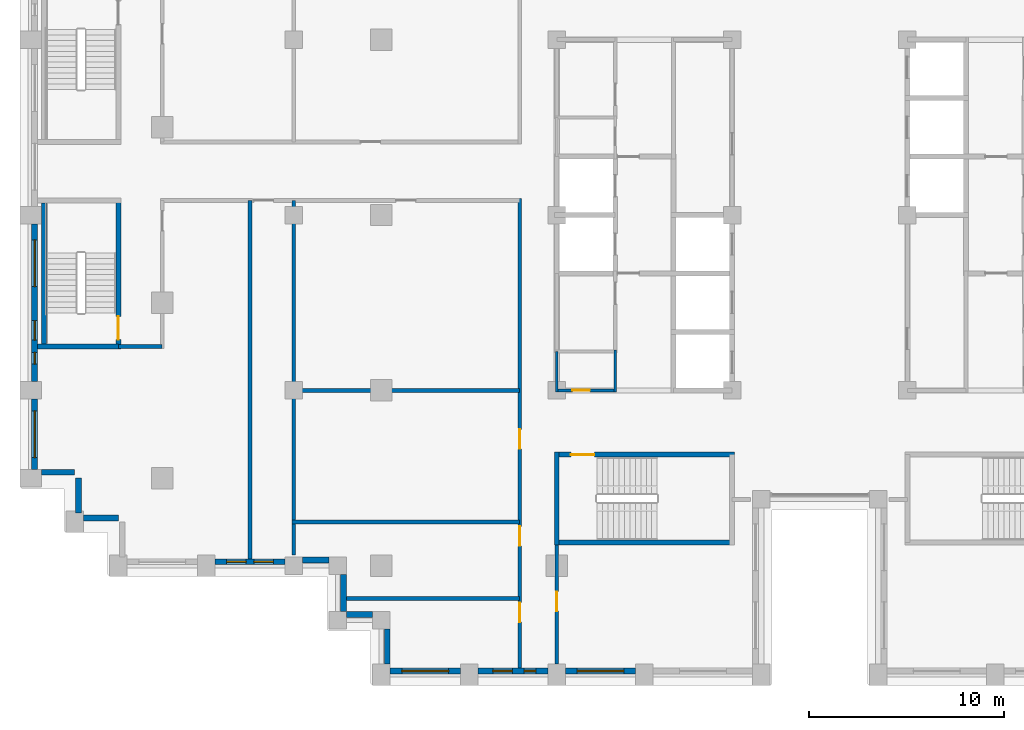
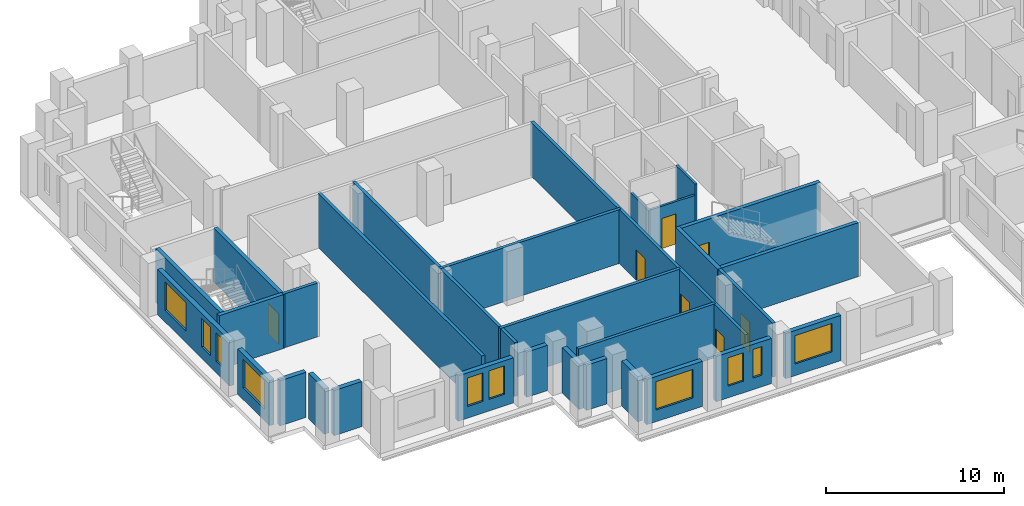
# One storey, part 6 of 15: 30 walls, 10 windows, 7 doors, 17 openings.
"""IFC4 building model written with IfcOpenShell, lengths in metres."""

from ifc_helpers import new_model, si_unit, direction, frame, frame_2d, origin, place, context, subcontext, project, spatial, rectangle, extrude, material, layer, layer_set, type_object, element, fill, save


model = new_model("IFC4")

# Units and contexts
model_context = context("Model", 3, precision=1e-05, world=origin(), true_north=direction((0.0, 1.0)))
body_context = subcontext(model_context, "Body", "Model", "MODEL_VIEW")
ifc_project = project(units=[si_unit("LENGTHUNIT", "METRE"), si_unit("AREAUNIT", "SQUARE_METRE"), si_unit("VOLUMEUNIT", "CUBIC_METRE"), si_unit("PLANEANGLEUNIT", "RADIAN"), si_unit("MASSUNIT", "GRAM", prefix="KILO")], contexts=[model_context])

# Site, building, storey
site_placement = place(None, origin())
site = spatial("IfcSite", under=ifc_project, at=site_placement, CompositionType="ELEMENT")
building_placement = place(site_placement, origin())
building = spatial("IfcBuilding", under=site, at=building_placement, Name="Corbelhall Arena Tower", CompositionType="ELEMENT")
storey_placement = place(building_placement, frame((0.0, 0.0, 138.0)))
storey = spatial("IfcBuildingStorey", under=building, at=storey_placement, Name="L26", CompositionType="ELEMENT", Elevation=138.0)

# Walls
ifc_material_1 = material(Name="Precast concrete C40/50 with granite facing", Category="masonry")
ifc_layer_1 = layer(ifc_material_1, 0.300048828125)
ifc_layer_set_1 = layer_set([ifc_layer_1], Name="EV-IW1 Infill panel 300")
wall_type_1 = type_object("IfcWallType", Name="EV-IW1 Infill panel 300", PredefinedType="SOLIDWALL", material=ifc_layer_set_1)
wall_1_placement = place(storey_placement, frame((-39.949951171875, -13.199951171875, 0.0), z_axis=(0.0, 0.0, 1.0), x_axis=(1.0, 0.0, 0.0)))
element("IfcWall", 1, at=wall_1_placement, inside=storey, type_object=wall_type_1, Name="Infill panel IW1", PredefinedType="SOLIDWALL", context=body_context, shape_type="SweptSolid", body=[
    extrude(rectangle(XDim=1.699951171875, YDim=0.300048828125, at=frame_2d((0.85009765625, 0.0))), origin(), (0.0, 0.0, 1.0), 3.10009765625),
])
for number, where, z_axis, x_axis, name in (
    (2, (-38.050048828125, -15.300048828125, 0.0), (0.0, 0.0, 1.0), (0.0, 1.0, 0.0), "Infill panel IW1"),
    (3, (-37.800048828125, -15.550048828125, 0.0), (0.0, 0.0, 1.0), (1.0, 0.0, 0.0), "Infill panel IW1"),
):
    element("IfcWall", number, at=place(storey_placement, frame(where, z_axis=z_axis, x_axis=x_axis)), inside=storey, type_object=wall_type_1, Name=name, PredefinedType="SOLIDWALL", context=body_context, shape_type="SweptSolid", body=[
        extrude(rectangle(XDim=1.800048828125, YDim=0.300048828125, at=frame_2d((0.89990234375, 0.0))), origin(), (0.0, 0.0, 1.0), 3.10009765625),
    ])

# Wall, openings, windows
wall_2_placement = place(storey_placement, frame((-40.300048828125, -0.449951171875, 0.0), z_axis=(0.0, 0.0, 1.0), x_axis=(0.0, -1.0, 0.0)))
wall_2 = element("IfcWall", 4, at=wall_2_placement, inside=storey, type_object=wall_type_1, Name="Infill panel IW1", PredefinedType="SOLIDWALL", context=body_context, shape_type="SweptSolid", body=[
    extrude(rectangle(XDim=8.10009765625, YDim=0.300048828125, at=frame_2d((4.050048828125, 0.0))), origin(), (0.0, 0.0, 1.0), 3.10009765625),
])
opening_1_placement = place(wall_2_placement, frame((0.824951171875, 0.0, 0.800048828125)))
opening_1 = element("IfcOpeningElement", 5, at=opening_1_placement, cuts=wall_2, Name="Opening WN1", PredefinedType="OPENING", context=body_context, shape_type="SweptSolid", body=[
    extrude(rectangle(XDim=2.39990234375, YDim=1.949951171875, at=frame_2d((1.199951171875, 0.97509765625))), frame((0.0, 0.14990234375, 0.0), z_axis=(0.0, -1.0, 0.0), x_axis=(1.0, 0.0, 0.0)), (0.0, 0.0, 1.0), 0.300048828125),
])
opening_2_placement = place(wall_2_placement, frame((4.97509765625, 0.0, 0.800048828125)))
opening_2 = element("IfcOpeningElement", 6, at=opening_2_placement, cuts=wall_2, Name="Opening WN6", PredefinedType="OPENING", context=body_context, shape_type="SweptSolid", body=[
    extrude(rectangle(XDim=1.0, YDim=1.949951171875, at=frame_2d((0.5, 0.97509765625))), frame((0.0, 0.14990234375, 0.0), z_axis=(0.0, -1.0, 0.0), x_axis=(1.0, 0.0, 0.0)), (0.0, 0.0, 1.0), 0.300048828125),
])
opening_3_placement = place(wall_2_placement, frame((6.60009765625, 0.0, 0.800048828125)))
opening_3 = element("IfcOpeningElement", 7, at=opening_3_placement, cuts=wall_2, Name="Opening WN5", PredefinedType="OPENING", context=body_context, shape_type="SweptSolid", body=[
    extrude(rectangle(XDim=0.60009765625, YDim=1.949951171875, at=frame_2d((0.300048828125, 0.97509765625))), frame((0.0, 0.14990234375, 0.0), z_axis=(0.0, -1.0, 0.0), x_axis=(1.0, 0.0, 0.0)), (0.0, 0.0, 1.0), 0.300048828125),
])
ifc_material_2 = material(Name="Aluminium black anodised", Category="aluminium")
window_type_1 = type_object("IfcWindowType", Name="EV-WN1 Office window", PartitioningType="SINGLE_PANEL", PredefinedType="WINDOW", material=ifc_material_2)
window_1_placement = place(opening_1_placement, origin())
window_1 = element("IfcWindow", 8, at=window_1_placement, inside=storey, type_object=window_type_1, Name="Window WN1", OverallHeight=1.949951171875, OverallWidth=2.39990234375, PartitioningType="SINGLE_PANEL", PredefinedType="WINDOW", context=body_context, shape_type="SweptSolid", body=[
    extrude(rectangle(XDim=2.39990234375, YDim=1.949951171875, at=frame_2d((1.199951171875, 0.97509765625))), frame((0.0, 0.030029296875, 0.0), z_axis=(0.0, -1.0, 0.0), x_axis=(1.0, 0.0, 0.0)), (0.0, 0.0, 1.0), 0.06005859375),
])
fill(opening_1, window_1)
window_type_2 = type_object("IfcWindowType", Name="EV-WN5 Office window 600", PartitioningType="SINGLE_PANEL", PredefinedType="WINDOW", material=ifc_material_2)
window_2_placement = place(opening_3_placement, origin())
window_2 = element("IfcWindow", 9, at=window_2_placement, inside=storey, type_object=window_type_2, Name="Window WN5", OverallHeight=1.949951171875, OverallWidth=0.60009765625, PartitioningType="SINGLE_PANEL", PredefinedType="WINDOW", context=body_context, shape_type="SweptSolid", body=[
    extrude(rectangle(XDim=0.60009765625, YDim=1.949951171875, at=frame_2d((0.300048828125, 0.97509765625))), frame((0.0, 0.030029296875, 0.0), z_axis=(0.0, -1.0, 0.0), x_axis=(1.0, 0.0, 0.0)), (0.0, 0.0, 1.0), 0.06005859375),
])
fill(opening_3, window_2)
window_type_3 = type_object("IfcWindowType", Name="EV-WN6 Office window 1000", PartitioningType="SINGLE_PANEL", PredefinedType="WINDOW", material=ifc_material_2)
window_3_placement = place(opening_2_placement, origin())
window_3 = element("IfcWindow", 10, at=window_3_placement, inside=storey, type_object=window_type_3, Name="Window WN6", OverallHeight=1.949951171875, OverallWidth=1.0, PartitioningType="SINGLE_PANEL", PredefinedType="WINDOW", context=body_context, shape_type="SweptSolid", body=[
    extrude(rectangle(XDim=1.0, YDim=1.949951171875, at=frame_2d((0.5, 0.97509765625))), frame((0.0, 0.030029296875, 0.0), z_axis=(0.0, -1.0, 0.0), x_axis=(1.0, 0.0, 0.0)), (0.0, 0.0, 1.0), 0.06005859375),
])
fill(opening_2, window_3)

# Wall, opening, window
wall_3_placement = place(storey_placement, frame((-40.300048828125, -9.449951171875, 0.0), z_axis=(0.0, 0.0, 1.0), x_axis=(0.0, -1.0, 0.0)))
wall_3 = element("IfcWall", 11, at=wall_3_placement, inside=storey, type_object=wall_type_1, Name="Infill panel IW1", PredefinedType="SOLIDWALL", context=body_context, shape_type="SweptSolid", body=[
    extrude(rectangle(XDim=3.60009765625, YDim=0.300048828125, at=frame_2d((1.800048828125, 0.0))), origin(), (0.0, 0.0, 1.0), 3.10009765625),
])
opening_4_placement = place(wall_3_placement, frame((0.60009765625, 0.0, 0.800048828125)))
opening_4 = element("IfcOpeningElement", 12, at=opening_4_placement, cuts=wall_3, Name="Opening WN1", PredefinedType="OPENING", context=body_context, shape_type="SweptSolid", body=[
    extrude(rectangle(XDim=2.39990234375, YDim=1.949951171875, at=frame_2d((1.199951171875, 0.97509765625))), frame((0.0, 0.14990234375, 0.0), z_axis=(0.0, -1.0, 0.0), x_axis=(1.0, 0.0, 0.0)), (0.0, 0.0, 1.0), 0.300048828125),
])
window_4_placement = place(opening_4_placement, origin())
window_4 = element("IfcWindow", 13, at=window_4_placement, inside=storey, type_object=window_type_1, Name="Window WN1", OverallHeight=1.949951171875, OverallWidth=2.39990234375, PartitioningType="SINGLE_PANEL", PredefinedType="WINDOW", context=body_context, shape_type="SweptSolid", body=[
    extrude(rectangle(XDim=2.39990234375, YDim=1.949951171875, at=frame_2d((1.199951171875, 0.97509765625))), frame((0.0, 0.030029296875, 0.0), z_axis=(0.0, -1.0, 0.0), x_axis=(1.0, 0.0, 0.0)), (0.0, 0.0, 1.0), 0.06005859375),
])
fill(opening_4, window_4)

# Wall, openings, windows
wall_4_placement = place(storey_placement, frame((-31.050048828125, -17.800048828125, 0.0), z_axis=(0.0, 0.0, 1.0), x_axis=(1.0, 0.0, 0.0)))
wall_4 = element("IfcWall", 14, at=wall_4_placement, inside=storey, type_object=wall_type_1, Name="Infill panel IW1", PredefinedType="SOLIDWALL", context=body_context, shape_type="SweptSolid", body=[
    extrude(rectangle(XDim=3.60009765625, YDim=0.300048828125, at=frame_2d((1.800048828125, 0.0))), origin(), (0.0, 0.0, 1.0), 3.10009765625),
])
opening_5_placement = place(wall_4_placement, frame((0.60009765625, 0.0, 0.800048828125)))
opening_5 = element("IfcOpeningElement", 15, at=opening_5_placement, cuts=wall_4, Name="Opening WN6", PredefinedType="OPENING", context=body_context, shape_type="SweptSolid", body=[
    extrude(rectangle(XDim=1.0, YDim=1.949951171875, at=frame_2d((0.5, 0.97509765625))), frame((0.0, 0.14990234375, 0.0), z_axis=(0.0, -1.0, 0.0), x_axis=(1.0, 0.0, 0.0)), (0.0, 0.0, 1.0), 0.300048828125),
])
opening_6_placement = place(wall_4_placement, frame((2.0, 0.0, 0.800048828125)))
opening_6 = element("IfcOpeningElement", 16, at=opening_6_placement, cuts=wall_4, Name="Opening WN6", PredefinedType="OPENING", context=body_context, shape_type="SweptSolid", body=[
    extrude(rectangle(XDim=1.0, YDim=1.949951171875, at=frame_2d((0.5, 0.97509765625))), frame((0.0, 0.14990234375, 0.0), z_axis=(0.0, -1.0, 0.0), x_axis=(1.0, 0.0, 0.0)), (0.0, 0.0, 1.0), 0.300048828125),
])
window_5_placement = place(opening_5_placement, origin())
window_5 = element("IfcWindow", 17, at=window_5_placement, inside=storey, type_object=window_type_3, Name="Window WN6", OverallHeight=1.949951171875, OverallWidth=1.0, PartitioningType="SINGLE_PANEL", PredefinedType="WINDOW", context=body_context, shape_type="SweptSolid", body=[
    extrude(rectangle(XDim=1.0, YDim=1.949951171875, at=frame_2d((0.5, 0.97509765625))), frame((0.0, 0.030029296875, 0.0), z_axis=(0.0, -1.0, 0.0), x_axis=(1.0, 0.0, 0.0)), (0.0, 0.0, 1.0), 0.06005859375),
])
fill(opening_5, window_5)
window_6_placement = place(opening_6_placement, origin())
window_6 = element("IfcWindow", 18, at=window_6_placement, inside=storey, type_object=window_type_3, Name="Window WN6", OverallHeight=1.949951171875, OverallWidth=1.0, PartitioningType="SINGLE_PANEL", PredefinedType="WINDOW", context=body_context, shape_type="SweptSolid", body=[
    extrude(rectangle(XDim=1.0, YDim=1.949951171875, at=frame_2d((0.5, 0.97509765625))), frame((0.0, 0.030029296875, 0.0), z_axis=(0.0, -1.0, 0.0), x_axis=(1.0, 0.0, 0.0)), (0.0, 0.0, 1.0), 0.06005859375),
])
fill(opening_6, window_6)

# Walls
wall_5_placement = place(storey_placement, frame((-26.550048828125, -17.699951171875, 0.0), z_axis=(0.0, 0.0, 1.0), x_axis=(1.0, 0.0, 0.0)))
element("IfcWall", 19, at=wall_5_placement, inside=storey, type_object=wall_type_1, Name="Infill panel IW1", PredefinedType="SOLIDWALL", context=body_context, shape_type="SweptSolid", body=[
    extrude(rectangle(XDim=1.35009765625, YDim=0.300048828125, at=frame_2d((0.675048828125, 0.0))), origin(), (0.0, 0.0, 1.0), 3.10009765625),
])
wall_6_placement = place(storey_placement, frame((-24.449951171875, -18.449951171875, 0.0), z_axis=(0.0, 0.0, 1.0), x_axis=(0.0, -1.0, 0.0)))
element("IfcWall", 20, at=wall_6_placement, inside=storey, type_object=wall_type_1, Name="Infill panel IW1", PredefinedType="SOLIDWALL", context=body_context, shape_type="SweptSolid", body=[
    extrude(rectangle(XDim=1.900146484375, YDim=0.300048828125, at=frame_2d((0.9501953125, 0.0))), origin(), (0.0, 0.0, 1.0), 3.10009765625),
])
wall_7_placement = place(storey_placement, frame((-24.300048828125, -20.5, 0.0), z_axis=(0.0, 0.0, 1.0), x_axis=(1.0, 0.0, 0.0)))
element("IfcWall", 21, at=wall_7_placement, inside=storey, type_object=wall_type_1, Name="Infill panel IW1", PredefinedType="SOLIDWALL", context=body_context, shape_type="SweptSolid", body=[
    extrude(rectangle(XDim=1.35009765625, YDim=0.300048828125, at=frame_2d((0.675048828125, 0.0))), origin(), (0.0, 0.0, 1.0), 3.10009765625),
])
wall_8_placement = place(storey_placement, frame((-22.199951171875, -21.25, 0.0), z_axis=(0.0, 0.0, 1.0), x_axis=(0.0, -1.0, 0.0)))
element("IfcWall", 22, at=wall_8_placement, inside=storey, type_object=wall_type_1, Name="Infill panel IW1", PredefinedType="SOLIDWALL", context=body_context, shape_type="SweptSolid", body=[
    extrude(rectangle(XDim=1.800048828125, YDim=0.300048828125, at=frame_2d((0.89990234375, 0.0))), origin(), (0.0, 0.0, 1.0), 3.10009765625),
])

# Wall, opening, window
wall_9_placement = place(storey_placement, frame((-22.050048828125, -23.39990234375, 0.0), z_axis=(0.0, 0.0, 1.0), x_axis=(1.0, 0.0, 0.0)))
wall_9 = element("IfcWall", 23, at=wall_9_placement, inside=storey, type_object=wall_type_1, Name="Infill panel IW1", PredefinedType="SOLIDWALL", context=body_context, shape_type="SweptSolid", body=[
    extrude(rectangle(XDim=3.60009765625, YDim=0.300048828125, at=frame_2d((1.800048828125, 0.0))), origin(), (0.0, 0.0, 1.0), 3.10009765625),
])
opening_7_placement = place(wall_9_placement, frame((0.60009765625, 0.0, 0.800048828125)))
opening_7 = element("IfcOpeningElement", 24, at=opening_7_placement, cuts=wall_9, Name="Opening WN1", PredefinedType="OPENING", context=body_context, shape_type="SweptSolid", body=[
    extrude(rectangle(XDim=2.39990234375, YDim=1.949951171875, at=frame_2d((1.199951171875, 0.97509765625))), frame((0.0, 0.14990234375, 0.0), z_axis=(0.0, -1.0, 0.0), x_axis=(1.0, 0.0, 0.0)), (0.0, 0.0, 1.0), 0.300048828125),
])
window_7_placement = place(opening_7_placement, origin())
window_7 = element("IfcWindow", 25, at=window_7_placement, inside=storey, type_object=window_type_1, Name="Window WN1", OverallHeight=1.949951171875, OverallWidth=2.39990234375, PartitioningType="SINGLE_PANEL", PredefinedType="WINDOW", context=body_context, shape_type="SweptSolid", body=[
    extrude(rectangle(XDim=2.39990234375, YDim=1.949951171875, at=frame_2d((1.199951171875, 0.97509765625))), frame((0.0, 0.030029296875, 0.0), z_axis=(0.0, -1.0, 0.0), x_axis=(1.0, 0.0, 0.0)), (0.0, 0.0, 1.0), 0.06005859375),
])
fill(opening_7, window_7)

# Wall, openings, windows
wall_10_placement = place(storey_placement, frame((-17.550048828125, -23.39990234375, 0.0), z_axis=(0.0, 0.0, 1.0), x_axis=(1.0, 0.0, 0.0)))
wall_10 = element("IfcWall", 26, at=wall_10_placement, inside=storey, type_object=wall_type_1, Name="Infill panel IW1", PredefinedType="SOLIDWALL", context=body_context, shape_type="SweptSolid", body=[
    extrude(rectangle(XDim=3.60009765625, YDim=0.300048828125, at=frame_2d((1.800048828125, 0.0))), origin(), (0.0, 0.0, 1.0), 3.10009765625),
])
opening_8_placement = place(wall_10_placement, frame((0.77490234375, 0.0, 0.800048828125)))
opening_8 = element("IfcOpeningElement", 27, at=opening_8_placement, cuts=wall_10, Name="Opening WN6", PredefinedType="OPENING", context=body_context, shape_type="SweptSolid", body=[
    extrude(rectangle(XDim=1.0, YDim=1.949951171875, at=frame_2d((0.5, 0.97509765625))), frame((0.0, 0.14990234375, 0.0), z_axis=(0.0, -1.0, 0.0), x_axis=(1.0, 0.0, 0.0)), (0.0, 0.0, 1.0), 0.300048828125),
])
opening_9_placement = place(wall_10_placement, frame((2.375, 0.0, 0.800048828125)))
opening_9 = element("IfcOpeningElement", 28, at=opening_9_placement, cuts=wall_10, Name="Opening WN5", PredefinedType="OPENING", context=body_context, shape_type="SweptSolid", body=[
    extrude(rectangle(XDim=0.60009765625, YDim=1.949951171875, at=frame_2d((0.300048828125, 0.97509765625))), frame((0.0, 0.14990234375, 0.0), z_axis=(0.0, -1.0, 0.0), x_axis=(1.0, 0.0, 0.0)), (0.0, 0.0, 1.0), 0.300048828125),
])
window_8_placement = place(opening_9_placement, origin())
window_8 = element("IfcWindow", 29, at=window_8_placement, inside=storey, type_object=window_type_2, Name="Window WN5", OverallHeight=1.949951171875, OverallWidth=0.60009765625, PartitioningType="SINGLE_PANEL", PredefinedType="WINDOW", context=body_context, shape_type="SweptSolid", body=[
    extrude(rectangle(XDim=0.60009765625, YDim=1.949951171875, at=frame_2d((0.300048828125, 0.97509765625))), frame((0.0, 0.030029296875, 0.0), z_axis=(0.0, -1.0, 0.0), x_axis=(1.0, 0.0, 0.0)), (0.0, 0.0, 1.0), 0.06005859375),
])
fill(opening_9, window_8)
window_9_placement = place(opening_8_placement, origin())
window_9 = element("IfcWindow", 30, at=window_9_placement, inside=storey, type_object=window_type_3, Name="Window WN6", OverallHeight=1.949951171875, OverallWidth=1.0, PartitioningType="SINGLE_PANEL", PredefinedType="WINDOW", context=body_context, shape_type="SweptSolid", body=[
    extrude(rectangle(XDim=1.0, YDim=1.949951171875, at=frame_2d((0.5, 0.97509765625))), frame((0.0, 0.030029296875, 0.0), z_axis=(0.0, -1.0, 0.0), x_axis=(1.0, 0.0, 0.0)), (0.0, 0.0, 1.0), 0.06005859375),
])
fill(opening_8, window_9)

# Wall, opening, window
wall_11_placement = place(storey_placement, frame((-13.050048828125, -23.39990234375, 0.0), z_axis=(0.0, 0.0, 1.0), x_axis=(1.0, 0.0, 0.0)))
wall_11 = element("IfcWall", 31, at=wall_11_placement, inside=storey, type_object=wall_type_1, Name="Infill panel IW1", PredefinedType="SOLIDWALL", context=body_context, shape_type="SweptSolid", body=[
    extrude(rectangle(XDim=3.60009765625, YDim=0.300048828125, at=frame_2d((1.800048828125, 0.0))), origin(), (0.0, 0.0, 1.0), 3.10009765625),
])
opening_10_placement = place(wall_11_placement, frame((0.60009765625, 0.0, 0.800048828125)))
opening_10 = element("IfcOpeningElement", 32, at=opening_10_placement, cuts=wall_11, Name="Opening WN1", PredefinedType="OPENING", context=body_context, shape_type="SweptSolid", body=[
    extrude(rectangle(XDim=2.39990234375, YDim=1.949951171875, at=frame_2d((1.199951171875, 0.97509765625))), frame((0.0, 0.14990234375, 0.0), z_axis=(0.0, -1.0, 0.0), x_axis=(1.0, 0.0, 0.0)), (0.0, 0.0, 1.0), 0.300048828125),
])
window_10_placement = place(opening_10_placement, origin())
window_10 = element("IfcWindow", 33, at=window_10_placement, inside=storey, type_object=window_type_1, Name="Window WN1", OverallHeight=1.949951171875, OverallWidth=2.39990234375, PartitioningType="SINGLE_PANEL", PredefinedType="WINDOW", context=body_context, shape_type="SweptSolid", body=[
    extrude(rectangle(XDim=2.39990234375, YDim=1.949951171875, at=frame_2d((1.199951171875, 0.97509765625))), frame((0.0, 0.030029296875, 0.0), z_axis=(0.0, -1.0, 0.0), x_axis=(1.0, 0.0, 0.0)), (0.0, 0.0, 1.0), 0.06005859375),
])
fill(opening_10, window_10)

# Walls
ifc_material_3 = material(Name="Gypsum board on steel stud, acoustic", Category="steel")
ifc_layer_2 = layer(ifc_material_3, 0.199951171875)
ifc_layer_set_2 = layer_set([ifc_layer_2], Name="IN-W-DM200")
wall_type_2 = type_object("IfcWallType", Name="IN-W-DM200", PredefinedType="PARTITIONING", material=ifc_layer_set_2)
wall_12_placement = place(storey_placement, frame((-33.75, -6.75, 0.0), z_axis=(0.0, 0.0, 1.0), x_axis=(-1.0, 0.0, 0.0)))
element("IfcWall", 34, at=wall_12_placement, inside=storey, type_object=wall_type_2, Name="Partition 003", PredefinedType="PARTITIONING", context=body_context, shape_type="SweptSolid", body=[
    extrude(rectangle(XDim=2.25, YDim=0.199951171875, at=frame_2d((1.125, 0.0))), origin(), (0.0, 0.0, 1.0), 3.699951171875),
])
wall_13_placement = place(storey_placement, frame((-29.25, 0.75, 0.0), z_axis=(0.0, 0.0, 1.0), x_axis=(0.0, -1.0, 0.0)))
element("IfcWall", 35, at=wall_13_placement, inside=storey, type_object=wall_type_2, Name="Partition 006", PredefinedType="PARTITIONING", context=body_context, shape_type="SweptSolid", body=[
    extrude(rectangle(XDim=18.39990234375, YDim=0.199951171875, at=frame_2d((9.199951171875, 0.0))), origin(), (0.0, 0.0, 1.0), 3.699951171875),
])
for number, where, z_axis, x_axis, name in (
    (36, (-27.10009765625, -15.75, 0.0), (0.0, 0.0, 1.0), (1.0, 0.0, 0.0), "Partition 008"),
    (37, (-27.10009765625, -9.0, 0.0), (0.0, 0.0, 1.0), (1.0, 0.0, 0.0), "Partition 009"),
):
    element("IfcWall", number, at=place(storey_placement, frame(where, z_axis=z_axis, x_axis=x_axis)), inside=storey, type_object=wall_type_2, Name=name, PredefinedType="PARTITIONING", context=body_context, shape_type="SweptSolid", body=[
        extrude(rectangle(XDim=11.7001953125, YDim=0.199951171875, at=frame_2d((5.85009765625, 0.0))), origin(), (0.0, 0.0, 1.0), 3.699951171875),
    ])
wall_14_placement = place(storey_placement, frame((-27.0, -17.449951171875, 0.0), z_axis=(0.0, 0.0, 1.0), x_axis=(0.0, 1.0, 0.0)))
element("IfcWall", 38, at=wall_14_placement, inside=storey, type_object=wall_type_2, Name="Partition 011", PredefinedType="PARTITIONING", context=body_context, shape_type="SweptSolid", body=[
    extrude(rectangle(XDim=18.199951171875, YDim=0.199951171875, at=frame_2d((9.10009765625, 0.0))), origin(), (0.0, 0.0, 1.0), 3.699951171875),
])
wall_15_placement = place(storey_placement, frame((-24.300048828125, -19.675048828125, 0.0), z_axis=(0.0, 0.0, 1.0), x_axis=(1.0, 0.0, 0.0)))
element("IfcWall", 39, at=wall_15_placement, inside=storey, type_object=wall_type_2, Name="Partition 013", PredefinedType="PARTITIONING", context=body_context, shape_type="SweptSolid", body=[
    extrude(rectangle(XDim=8.900146484375, YDim=0.199951171875, at=frame_2d((4.4501953125, 0.0))), origin(), (0.0, 0.0, 1.0), 3.699951171875),
])

# Wall, openings, doors
wall_16_placement = place(storey_placement, frame((-15.39990234375, -23.25, 0.0), z_axis=(0.0, 0.0, 1.0), x_axis=(0.0, 1.0, 0.0)))
wall_16 = element("IfcWall", 40, at=wall_16_placement, inside=storey, type_object=wall_type_2, Name="Partition 016", PredefinedType="PARTITIONING", context=body_context, shape_type="SweptSolid", body=[
    extrude(rectangle(XDim=24.10009765625, YDim=0.199951171875, at=frame_2d((12.050048828125, 0.0))), origin(), (0.0, 0.0, 1.0), 3.699951171875),
])
opening_11_placement = place(wall_16_placement, frame((2.35009765625, 0.0, 0.0)))
opening_11 = element("IfcOpeningElement", 41, at=opening_11_placement, cuts=wall_16, Name="Opening 07028", PredefinedType="OPENING", context=body_context, shape_type="SweptSolid", body=[
    extrude(rectangle(XDim=1.0, YDim=2.10009765625, at=frame_2d((0.5, 1.050048828125))), frame((0.0, 0.10009765625, 0.0), z_axis=(0.0, -1.0, 0.0), x_axis=(1.0, 0.0, 0.0)), (0.0, 0.0, 1.0), 0.199951171875),
])
opening_12_placement = place(wall_16_placement, frame((6.27490234375, 0.0, 0.0)))
opening_12 = element("IfcOpeningElement", 42, at=opening_12_placement, cuts=wall_16, Name="Opening 07029", PredefinedType="OPENING", context=body_context, shape_type="SweptSolid", body=[
    extrude(rectangle(XDim=1.0, YDim=2.10009765625, at=frame_2d((0.5, 1.050048828125))), frame((0.0, 0.10009765625, 0.0), z_axis=(0.0, -1.0, 0.0), x_axis=(1.0, 0.0, 0.0)), (0.0, 0.0, 1.0), 0.199951171875),
])
opening_13_placement = place(wall_16_placement, frame((11.25, 0.0, 0.0)))
opening_13 = element("IfcOpeningElement", 43, at=opening_13_placement, cuts=wall_16, Name="Opening 07030", PredefinedType="OPENING", context=body_context, shape_type="SweptSolid", body=[
    extrude(rectangle(XDim=1.0, YDim=2.10009765625, at=frame_2d((0.5, 1.050048828125))), frame((0.0, 0.10009765625, 0.0), z_axis=(0.0, -1.0, 0.0), x_axis=(1.0, 0.0, 0.0)), (0.0, 0.0, 1.0), 0.199951171875),
])
ifc_material_4 = material(Name="Steel door set", Category="steel")
door_type_1 = type_object("IfcDoorType", Name="IN-D-SW100", OperationType="NOTDEFINED", PredefinedType="DOOR", material=ifc_material_4)
door_1_placement = place(opening_11_placement, origin())
door_1 = element("IfcDoor", 44, at=door_1_placement, inside=storey, type_object=door_type_1, Name="Door 028", OperationType="SINGLE_SWING_LEFT", OverallHeight=2.10009765625, OverallWidth=1.0, PredefinedType="DOOR", context=body_context, shape_type="SweptSolid", body=[
    extrude(rectangle(XDim=1.0, YDim=2.10009765625, at=frame_2d((0.5, 1.050048828125))), frame((0.0, 0.02490234375, 0.0), z_axis=(0.0, -1.0, 0.0), x_axis=(1.0, 0.0, 0.0)), (0.0, 0.0, 1.0), 0.050048828125),
])
fill(opening_11, door_1)
door_2_placement = place(opening_12_placement, origin())
door_2 = element("IfcDoor", 45, at=door_2_placement, inside=storey, type_object=door_type_1, Name="Door 029", OperationType="SINGLE_SWING_RIGHT", OverallHeight=2.10009765625, OverallWidth=1.0, PredefinedType="DOOR", context=body_context, shape_type="SweptSolid", body=[
    extrude(rectangle(XDim=1.0, YDim=2.10009765625, at=frame_2d((0.5, 1.050048828125))), frame((0.0, 0.02490234375, 0.0), z_axis=(0.0, -1.0, 0.0), x_axis=(1.0, 0.0, 0.0)), (0.0, 0.0, 1.0), 0.050048828125),
])
fill(opening_12, door_2)
door_3_placement = place(opening_13_placement, origin())
door_3 = element("IfcDoor", 46, at=door_3_placement, inside=storey, type_object=door_type_1, Name="Door 030", OperationType="SINGLE_SWING_LEFT", OverallHeight=2.10009765625, OverallWidth=1.0, PredefinedType="DOOR", context=body_context, shape_type="SweptSolid", body=[
    extrude(rectangle(XDim=1.0, YDim=2.10009765625, at=frame_2d((0.5, 1.050048828125))), frame((0.0, 0.02490234375, 0.0), z_axis=(0.0, -1.0, 0.0), x_axis=(1.0, 0.0, 0.0)), (0.0, 0.0, 1.0), 0.050048828125),
])
fill(opening_13, door_3)

# Wall, opening, door
wall_17_placement = place(storey_placement, frame((-13.5, -16.675048828125, 0.0), z_axis=(0.0, 0.0, 1.0), x_axis=(0.0, -1.0, 0.0)))
wall_17 = element("IfcWall", 47, at=wall_17_placement, inside=storey, type_object=wall_type_2, Name="Partition 021", PredefinedType="PARTITIONING", context=body_context, shape_type="SweptSolid", body=[
    extrude(rectangle(XDim=6.375, YDim=0.199951171875, at=frame_2d((3.1875, 0.0))), origin(), (0.0, 0.0, 1.0), 3.699951171875),
])
opening_14_placement = place(wall_17_placement, frame((2.64990234375, 0.0, 0.0)))
opening_14 = element("IfcOpeningElement", 48, at=opening_14_placement, cuts=wall_17, Name="Opening 07024", PredefinedType="OPENING", context=body_context, shape_type="SweptSolid", body=[
    extrude(rectangle(XDim=1.0, YDim=2.10009765625, at=frame_2d((0.5, 1.050048828125))), frame((0.0, 0.10009765625, 0.0), z_axis=(0.0, -1.0, 0.0), x_axis=(1.0, 0.0, 0.0)), (0.0, 0.0, 1.0), 0.199951171875),
])
door_4_placement = place(opening_14_placement, origin())
door_4 = element("IfcDoor", 49, at=door_4_placement, inside=storey, type_object=door_type_1, Name="Door 024", OperationType="SINGLE_SWING_LEFT", OverallHeight=2.10009765625, OverallWidth=1.0, PredefinedType="DOOR", context=body_context, shape_type="SweptSolid", body=[
    extrude(rectangle(XDim=1.0, YDim=2.10009765625, at=frame_2d((0.5, 1.050048828125))), frame((0.0, 0.02490234375, 0.0), z_axis=(0.0, -1.0, 0.0), x_axis=(1.0, 0.0, 0.0)), (0.0, 0.0, 1.0), 0.050048828125),
])
fill(opening_14, door_4)

# Wall
ifc_material_5 = material(Name="Concrete C40/50", Category="concrete")
ifc_layer_3 = layer(ifc_material_5, 0.25)
ifc_layer_set_3 = layer_set([ifc_layer_3], Name="IN-W-ST250")
wall_type_3 = type_object("IfcWallType", Name="IN-W-ST250", PredefinedType="SOLIDWALL", material=ifc_layer_set_3)
wall_18_placement = place(storey_placement, frame((-36.0, -6.75, 0.0), z_axis=(0.0, 0.0, 1.0), x_axis=(-1.0, 0.0, 0.0)))
element("IfcWall", 50, at=wall_18_placement, inside=storey, type_object=wall_type_3, Name="Shaft wall 085", PredefinedType="SOLIDWALL", context=body_context, shape_type="SweptSolid", body=[
    extrude(rectangle(XDim=4.14990234375, YDim=0.25, at=frame_2d((2.074951171875, 0.0))), origin(), (0.0, 0.0, 1.0), 3.699951171875),
])

# Wall, opening, door
wall_19_placement = place(storey_placement, frame((-36.0, 0.75, 0.0), z_axis=(0.0, 0.0, 1.0), x_axis=(0.0, -1.0, 0.0)))
wall_19 = element("IfcWall", 51, at=wall_19_placement, inside=storey, type_object=wall_type_3, Name="Shaft wall 086", PredefinedType="SOLIDWALL", context=body_context, shape_type="SweptSolid", body=[
    extrude(rectangle(XDim=7.625, YDim=0.25, at=frame_2d((3.8125, 0.0))), origin(), (0.0, 0.0, 1.0), 3.699951171875),
])
opening_15_placement = place(wall_19_placement, frame((5.949951171875, 0.0, 0.0)))
opening_15 = element("IfcOpeningElement", 52, at=opening_15_placement, cuts=wall_19, Name="Opening 07019", PredefinedType="OPENING", context=body_context, shape_type="SweptSolid", body=[
    extrude(rectangle(XDim=1.199951171875, YDim=2.10009765625, at=frame_2d((0.60009765625, 1.050048828125))), frame((0.0, 0.125, 0.0), z_axis=(0.0, -1.0, 0.0), x_axis=(1.0, 0.0, 0.0)), (0.0, 0.0, 1.0), 0.25),
])
door_type_2 = type_object("IfcDoorType", Name="IN-D-ST120", OperationType="NOTDEFINED", PredefinedType="DOOR", material=ifc_material_4)
door_5_placement = place(opening_15_placement, origin())
door_5 = element("IfcDoor", 53, at=door_5_placement, inside=storey, type_object=door_type_2, Name="Door 019", OperationType="SINGLE_SWING_RIGHT", OverallHeight=2.10009765625, OverallWidth=1.199951171875, PredefinedType="DOOR", context=body_context, shape_type="SweptSolid", body=[
    extrude(rectangle(XDim=1.199951171875, YDim=2.10009765625, at=frame_2d((0.60009765625, 1.050048828125))), frame((0.0, 0.02490234375, 0.0), z_axis=(0.0, -1.0, 0.0), x_axis=(1.0, 0.0, 0.0)), (0.0, 0.0, 1.0), 0.050048828125),
])
fill(opening_15, door_5)

# Walls
wall_20_placement = place(storey_placement, frame((-13.5, -12.175048828125, 0.0), z_axis=(0.0, 0.0, 1.0), x_axis=(0.0, -1.0, 0.0)))
element("IfcWall", 54, at=wall_20_placement, inside=storey, type_object=wall_type_3, Name="Shaft wall 089", PredefinedType="SOLIDWALL", context=body_context, shape_type="SweptSolid", body=[
    extrude(rectangle(XDim=4.75, YDim=0.25, at=frame_2d((2.375, 0.0))), origin(), (0.0, 0.0, 1.0), 3.699951171875),
])
wall_21_placement = place(storey_placement, frame((-4.5, -16.800048828125, 0.0), z_axis=(0.0, 0.0, 1.0), x_axis=(-1.0, 0.0, 0.0)))
element("IfcWall", 55, at=wall_21_placement, inside=storey, type_object=wall_type_3, Name="Shaft wall 093", PredefinedType="SOLIDWALL", context=body_context, shape_type="SweptSolid", body=[
    extrude(rectangle(XDim=9.0, YDim=0.25, at=frame_2d((4.5, 0.0))), origin(), (0.0, 0.0, 1.0), 3.699951171875),
])

# Wall, opening, door
wall_22_placement = place(storey_placement, frame((-4.375, -12.300048828125, 0.0), z_axis=(0.0, 0.0, 1.0), x_axis=(-1.0, 0.0, 0.0)))
wall_22 = element("IfcWall", 56, at=wall_22_placement, inside=storey, type_object=wall_type_3, Name="Shaft wall 096", PredefinedType="SOLIDWALL", context=body_context, shape_type="SweptSolid", body=[
    extrude(rectangle(XDim=9.125, YDim=0.25, at=frame_2d((4.5625, 0.0))), origin(), (0.0, 0.0, 1.0), 3.699951171875),
])
opening_16_placement = place(wall_22_placement, frame((7.199951171875, 0.0, 0.0)))
opening_16 = element("IfcOpeningElement", 57, at=opening_16_placement, cuts=wall_22, Name="Opening 07015", PredefinedType="OPENING", context=body_context, shape_type="SweptSolid", body=[
    extrude(rectangle(XDim=1.199951171875, YDim=2.10009765625, at=frame_2d((0.60009765625, 1.050048828125))), frame((0.0, 0.125, 0.0), z_axis=(0.0, -1.0, 0.0), x_axis=(1.0, 0.0, 0.0)), (0.0, 0.0, 1.0), 0.25),
])
door_6_placement = place(opening_16_placement, origin())
door_6 = element("IfcDoor", 58, at=door_6_placement, inside=storey, type_object=door_type_2, Name="Door 015", OperationType="SINGLE_SWING_RIGHT", OverallHeight=2.10009765625, OverallWidth=1.199951171875, PredefinedType="DOOR", context=body_context, shape_type="SweptSolid", body=[
    extrude(rectangle(XDim=1.199951171875, YDim=2.10009765625, at=frame_2d((0.60009765625, 1.050048828125))), frame((0.0, 0.02490234375, 0.0), z_axis=(0.0, -1.0, 0.0), x_axis=(1.0, 0.0, 0.0)), (0.0, 0.0, 1.0), 0.050048828125),
])
fill(opening_16, door_6)

# Walls
wall_23_placement = place(storey_placement, frame((-39.824951171875, -6.625, 0.0), z_axis=(0.0, 0.0, 1.0), x_axis=(0.0, 1.0, 0.0)))
element("IfcWall", 59, at=wall_23_placement, inside=storey, type_object=wall_type_3, Name="Shaft wall SC2 facade side", PredefinedType="SOLIDWALL", context=body_context, shape_type="SweptSolid", body=[
    extrude(rectangle(XDim=7.25, YDim=0.25, at=frame_2d((3.625, 0.0))), origin(), (0.0, 0.0, 1.0), 3.699951171875),
])
ifc_material_6 = material(Name="Gypsum board on steel stud, moisture resistant", Category="steel")
ifc_layer_4 = layer(ifc_material_6, 0.14990234375)
ifc_layer_set_4 = layer_set([ifc_layer_4], Name="IN-W-WC150")
wall_type_4 = type_object("IfcWallType", Name="IN-W-WC150", PredefinedType="PARTITIONING", material=ifc_layer_set_4)
wall_24_placement = place(storey_placement, frame((-10.5, -9.074951171875, 0.0), z_axis=(0.0, 0.0, 1.0), x_axis=(0.0, 1.0, 0.0)))
element("IfcWall", 60, at=wall_24_placement, inside=storey, type_object=wall_type_4, Name="Partition 115", PredefinedType="PARTITIONING", context=body_context, shape_type="SweptSolid", body=[
    extrude(rectangle(XDim=2.14990234375, YDim=0.14990234375, at=frame_2d((1.074951171875, 0.0))), origin(), (0.0, 0.0, 1.0), 3.699951171875),
])
ifc_layer_5 = layer(ifc_material_6, 0.14990234375)
ifc_layer_set_5 = layer_set([ifc_layer_5], Name="IN-W-WC150 under beam 762 mm")
wall_type_5 = type_object("IfcWallType", Name="IN-W-WC150 under beam 762 mm", PredefinedType="PARTITIONING", material=ifc_layer_set_5)
wall_25_placement = place(storey_placement, frame((-13.5, -9.074951171875, 0.0), z_axis=(0.0, 0.0, 1.0), x_axis=(0.0, 1.0, 0.0)))
element("IfcWall", 61, at=wall_25_placement, inside=storey, type_object=wall_type_5, Name="Partition 113", PredefinedType="PARTITIONING", context=body_context, shape_type="SweptSolid", body=[
    extrude(rectangle(XDim=2.074951171875, YDim=0.14990234375, at=frame_2d((1.03759765625, 0.0))), origin(), (0.0, 0.0, 1.0), 2.93798828125),
])

# Wall, opening, door
wall_26_placement = place(storey_placement, frame((-10.5, -9.0, 0.0), z_axis=(0.0, 0.0, 1.0), x_axis=(-1.0, 0.0, 0.0)))
wall_26 = element("IfcWall", 62, at=wall_26_placement, inside=storey, type_object=wall_type_5, Name="Partition 116", PredefinedType="PARTITIONING", context=body_context, shape_type="SweptSolid", body=[
    extrude(rectangle(XDim=3.0, YDim=0.14990234375, at=frame_2d((1.5, 0.0))), origin(), (0.0, 0.0, 1.0), 2.93798828125),
])
opening_17_placement = place(wall_26_placement, frame((1.300048828125, 0.0, 0.0)))
opening_17 = element("IfcOpeningElement", 63, at=opening_17_placement, cuts=wall_26, Name="Opening 07004", PredefinedType="OPENING", context=body_context, shape_type="SweptSolid", body=[
    extrude(rectangle(XDim=0.89990234375, YDim=2.10009765625, at=frame_2d((0.449951171875, 1.050048828125))), frame((0.0, 0.074951171875, 0.0), z_axis=(0.0, -1.0, 0.0), x_axis=(1.0, 0.0, 0.0)), (0.0, 0.0, 1.0), 0.14990234375),
])
ifc_material_7 = material(Name="Timber door set", Category="wood")
door_type_3 = type_object("IfcDoorType", Name="IN-D-SW90", OperationType="NOTDEFINED", PredefinedType="DOOR", material=ifc_material_7)
door_7_placement = place(opening_17_placement, origin())
door_7 = element("IfcDoor", 64, at=door_7_placement, inside=storey, type_object=door_type_3, Name="Door 004", OperationType="SINGLE_SWING_LEFT", OverallHeight=2.10009765625, OverallWidth=0.89990234375, PredefinedType="DOOR", context=body_context, shape_type="SweptSolid", body=[
    extrude(rectangle(XDim=0.89990234375, YDim=2.10009765625, at=frame_2d((0.449951171875, 1.050048828125))), frame((0.0, 0.02490234375, 0.0), z_axis=(0.0, -1.0, 0.0), x_axis=(1.0, 0.0, 0.0)), (0.0, 0.0, 1.0), 0.050048828125),
])
fill(opening_17, door_7)

save(model, "model.ifc")
